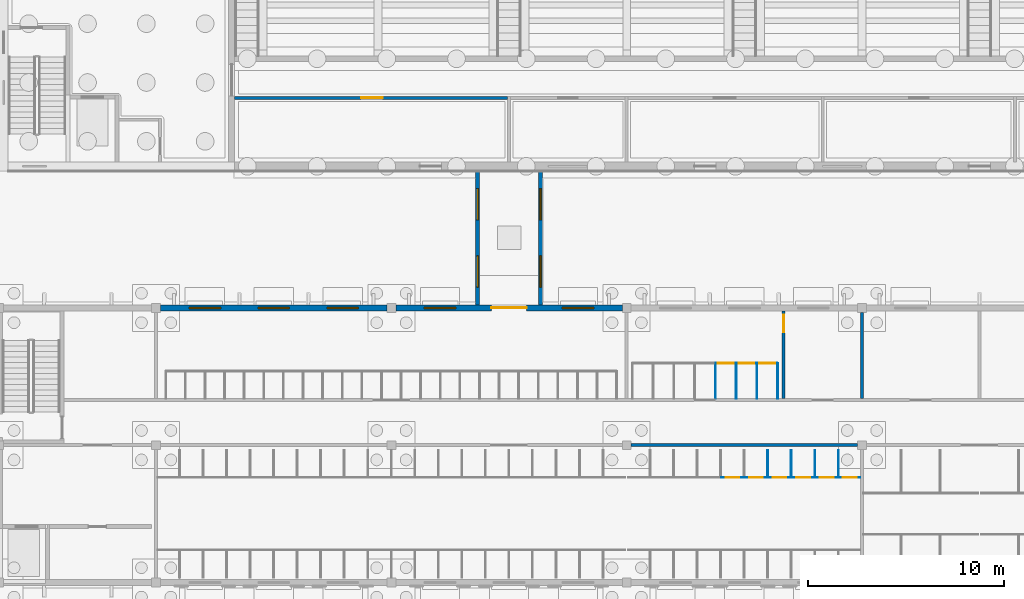
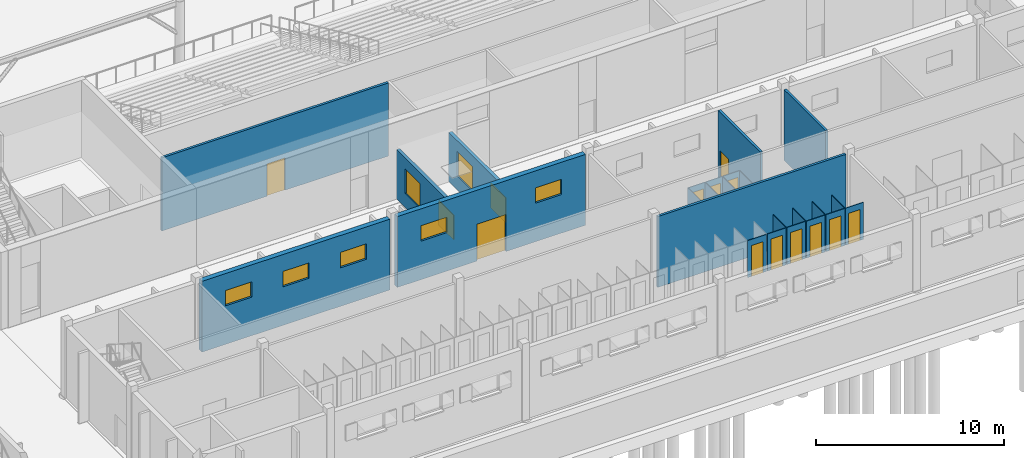
# One storey, part 83 of 157: 25 walls, 12 doors, 9 windows, 21 openings.
"""IFC4 building model written with IfcOpenShell, lengths in metres."""

from ifc_helpers import new_model, si_unit, direction, frame, frame_2d, origin, place, context, subcontext, project, spatial, rectangle, extrude, material, layer, layer_set, type_object, element, fill, save


model = new_model("IFC4")

# Units and contexts
model_context = context("Model", 3, precision=1e-05, world=origin(), true_north=direction((0.0, 1.0)))
body_context = subcontext(model_context, "Body", "Model", "MODEL_VIEW")
ifc_project = project(units=[si_unit("LENGTHUNIT", "METRE"), si_unit("AREAUNIT", "SQUARE_METRE"), si_unit("VOLUMEUNIT", "CUBIC_METRE"), si_unit("PLANEANGLEUNIT", "RADIAN"), si_unit("MASSUNIT", "GRAM", prefix="KILO")], contexts=[model_context])

# Site, building, storey
site_placement = place(None, origin())
site = spatial("IfcSite", under=ifc_project, at=site_placement, CompositionType="ELEMENT")
building_placement = place(site_placement, origin())
building = spatial("IfcBuilding", under=site, at=building_placement, Name="Windward Yard Aquatics Centre", CompositionType="ELEMENT")
storey_placement = place(building_placement, origin())
storey = spatial("IfcBuildingStorey", under=building, at=storey_placement, Name="L00", CompositionType="ELEMENT", Elevation=0.0)

# Wall
ifc_material_1 = material(Name="Concrete masonry unit plastered", Category="masonry")
ifc_layer_1 = layer(ifc_material_1, 0.14990234375)
ifc_layer_set_1 = layer_set([ifc_layer_1], Name="C block partition 150")
wall_type_1 = type_object("IfcWallType", Name="C block partition 150", PredefinedType="PARTITIONING", material=ifc_layer_set_1)
wall_1_placement = place(storey_placement, frame((84.22509765625, 12.0, 0.0), z_axis=(0.0, 0.0, 1.0), x_axis=(1.0, 0.0, 0.0)))
element("IfcWall", 1, at=wall_1_placement, inside=storey, type_object=wall_type_1, Name="C.W.L00.SP.S.4", PredefinedType="PARTITIONING", context=body_context, shape_type="SweptSolid", body=[
    extrude(rectangle(XDim=11.5498046875, YDim=0.14990234375, at=frame_2d((5.77490234375, 0.0))), origin(), (0.0, 0.0, 1.0), 4.60009765625),
])

# Wall, opening, door
wall_2_placement = place(storey_placement, frame((92.0, 14.375, 0.0), z_axis=(0.0, 0.0, 1.0), x_axis=(0.0, 1.0, 0.0)))
wall_2 = element("IfcWall", 2, at=wall_2_placement, inside=storey, type_object=wall_type_1, Name="C.W.L00.ND.40.1", PredefinedType="PARTITIONING", context=body_context, shape_type="SweptSolid", body=[
    extrude(rectangle(XDim=4.47509765625, YDim=0.14990234375, at=frame_2d((2.237548828125, 0.0))), origin(), (0.0, 0.0, 1.0), 4.60009765625),
])
opening_1_placement = place(wall_2_placement, frame((3.375, 0.0, 0.0)))
opening_1 = element("IfcOpeningElement", 3, at=opening_1_placement, cuts=wall_2, Name="Opening C0023", PredefinedType="OPENING", context=body_context, shape_type="SweptSolid", body=[
    extrude(rectangle(XDim=0.89990234375, YDim=2.10009765625, at=frame_2d((0.449951171875, 1.050048828125))), frame((0.0, 0.0849609375, 0.0), z_axis=(0.0, -1.0, 0.0), x_axis=(1.0, 0.0, 0.0)), (0.0, 0.0, 1.0), 0.169921875),
])
ifc_material_2 = material(Name="Timber door leaf in steel frame", Category="steel")
door_type_1 = type_object("IfcDoorType", Name="C door 900X2100 FD30S", OperationType="SINGLE_SWING_LEFT", PredefinedType="DOOR", material=ifc_material_2)
door_1_placement = place(opening_1_placement, origin())
door_1 = element("IfcDoor", 4, at=door_1_placement, inside=storey, type_object=door_type_1, Name="Cleaner's store door", OperationType="SINGLE_SWING_LEFT", OverallHeight=2.10009765625, OverallWidth=0.89990234375, PredefinedType="DOOR", context=body_context, shape_type="SweptSolid", body=[
    extrude(rectangle(XDim=0.89990234375, YDim=2.10009765625, at=frame_2d((0.449951171875, 1.050048828125))), frame((0.0, 0.02490234375, 0.0), z_axis=(0.0, -1.0, 0.0), x_axis=(1.0, 0.0, 0.0)), (0.0, 0.0, 1.0), 0.050048828125),
])
fill(opening_1, door_1)

# Walls
wall_3_placement = place(storey_placement, frame((96.0, 14.375, 0.0), z_axis=(0.0, 0.0, 1.0), x_axis=(0.0, 1.0, 0.0)))
element("IfcWall", 5, at=wall_3_placement, inside=storey, type_object=wall_type_1, Name="C.W.L00.ND.44.1", PredefinedType="PARTITIONING", context=body_context, shape_type="SweptSolid", body=[
    extrude(rectangle(XDim=4.39990234375, YDim=0.14990234375, at=frame_2d((2.199951171875, 0.0))), origin(), (0.0, 0.0, 1.0), 4.60009765625),
])
ifc_material_3 = material(Name="High-pressure laminate panel on stainless frame")
ifc_layer_2 = layer(ifc_material_3, 0.0400390625)
ifc_layer_set_2 = layer_set([ifc_layer_2], Name="C cubicle panel 40")
wall_type_2 = type_object("IfcWallType", Name="C cubicle panel 40", PredefinedType="PARTITIONING", material=ifc_layer_set_2)
for number, where, z_axis, x_axis, name in (
    (6, (91.199951171875, 11.75, 0.0), (0.0, 0.0, 1.0), (0.0, -1.0, 0.0), "C.W.L00.B.P26"),
    (7, (92.39990234375, 11.75, 0.0), (0.0, 0.0, 1.0), (0.0, -1.0, 0.0), "C.W.L00.B.P27"),
    (8, (93.60009765625, 11.75, 0.0), (0.0, 0.0, 1.0), (0.0, -1.0, 0.0), "C.W.L00.B.P28"),
    (9, (94.800048828125, 11.75, 0.0), (0.0, 0.0, 1.0), (0.0, -1.0, 0.0), "C.W.L00.B.P29"),
):
    element("IfcWall", number, at=place(storey_placement, frame(where, z_axis=z_axis, x_axis=x_axis)), inside=storey, type_object=wall_type_2, Name=name, PredefinedType="PARTITIONING", context=body_context, shape_type="SweptSolid", body=[
        extrude(rectangle(XDim=1.39990234375, YDim=0.0400390625, at=frame_2d((0.699951171875, 0.0))), origin(), (0.0, 0.0, 1.0), 2.39990234375),
    ])

# Wall, opening, door
wall_4_placement = place(storey_placement, frame((88.820068359375, 10.35009765625, 0.0), z_axis=(0.0, 0.0, 1.0), x_axis=(1.0, 0.0, 0.0)))
wall_4 = element("IfcWall", 10, at=wall_4_placement, inside=storey, type_object=wall_type_2, Name="C.W.L00.B.F24", PredefinedType="PARTITIONING", context=body_context, shape_type="SweptSolid", body=[
    extrude(rectangle(XDim=1.159912109375, YDim=0.0400390625, at=frame_2d((0.580078125, 0.0))), origin(), (0.0, 0.0, 1.0), 2.39990234375),
])
opening_2_placement = place(wall_4_placement, frame((0.22998046875, 0.0, 0.0)))
opening_2 = element("IfcOpeningElement", 11, at=opening_2_placement, cuts=wall_4, Name="Opening C0082", PredefinedType="OPENING", context=body_context, shape_type="SweptSolid", body=[
    extrude(rectangle(XDim=0.699951171875, YDim=2.0, at=frame_2d((0.35009765625, 1.0))), frame((0.0, 0.030029296875, 0.0), z_axis=(0.0, -1.0, 0.0), x_axis=(1.0, 0.0, 0.0)), (0.0, 0.0, 1.0), 0.06005859375),
])
ifc_material_4 = material(Name="High-pressure laminate door leaf")
door_type_2 = type_object("IfcDoorType", Name="C door 700X2000 NOT RATED", OperationType="SINGLE_SWING_LEFT", PredefinedType="DOOR", material=ifc_material_4)
door_2_placement = place(opening_2_placement, origin())
door_2 = element("IfcDoor", 12, at=door_2_placement, inside=storey, type_object=door_type_2, Name="Cubicle door B25", OperationType="SINGLE_SWING_LEFT", OverallHeight=2.0, OverallWidth=0.699951171875, PredefinedType="DOOR", context=body_context, shape_type="SweptSolid", body=[
    extrude(rectangle(XDim=0.699951171875, YDim=2.0, at=frame_2d((0.35009765625, 1.0))), frame((0.0, 0.019775390625, 0.0), z_axis=(0.0, -1.0, 0.0), x_axis=(1.0, 0.0, 0.0)), (0.0, 0.0, 1.0), 0.03955078125),
])
fill(opening_2, door_2)

wall_5_placement = place(storey_placement, frame((90.02001953125, 10.35009765625, 0.0), z_axis=(0.0, 0.0, 1.0), x_axis=(1.0, 0.0, 0.0)))
wall_5 = element("IfcWall", 13, at=wall_5_placement, inside=storey, type_object=wall_type_2, Name="C.W.L00.B.F25", PredefinedType="PARTITIONING", context=body_context, shape_type="SweptSolid", body=[
    extrude(rectangle(XDim=1.159912109375, YDim=0.0400390625, at=frame_2d((0.580078125, 0.0))), origin(), (0.0, 0.0, 1.0), 2.39990234375),
])
opening_3_placement = place(wall_5_placement, frame((0.22998046875, 0.0, 0.0)))
opening_3 = element("IfcOpeningElement", 14, at=opening_3_placement, cuts=wall_5, Name="Opening C0083", PredefinedType="OPENING", context=body_context, shape_type="SweptSolid", body=[
    extrude(rectangle(XDim=0.699951171875, YDim=2.0, at=frame_2d((0.35009765625, 1.0))), frame((0.0, 0.030029296875, 0.0), z_axis=(0.0, -1.0, 0.0), x_axis=(1.0, 0.0, 0.0)), (0.0, 0.0, 1.0), 0.06005859375),
])
door_3_placement = place(opening_3_placement, origin())
door_3 = element("IfcDoor", 15, at=door_3_placement, inside=storey, type_object=door_type_2, Name="Cubicle door B26", OperationType="SINGLE_SWING_LEFT", OverallHeight=2.0, OverallWidth=0.699951171875, PredefinedType="DOOR", context=body_context, shape_type="SweptSolid", body=[
    extrude(rectangle(XDim=0.699951171875, YDim=2.0, at=frame_2d((0.35009765625, 1.0))), frame((0.0, 0.019775390625, 0.0), z_axis=(0.0, -1.0, 0.0), x_axis=(1.0, 0.0, 0.0)), (0.0, 0.0, 1.0), 0.03955078125),
])
fill(opening_3, door_3)

wall_6_placement = place(storey_placement, frame((91.219970703125, 10.35009765625, 0.0), z_axis=(0.0, 0.0, 1.0), x_axis=(1.0, 0.0, 0.0)))
wall_6 = element("IfcWall", 16, at=wall_6_placement, inside=storey, type_object=wall_type_2, Name="C.W.L00.B.F26", PredefinedType="PARTITIONING", context=body_context, shape_type="SweptSolid", body=[
    extrude(rectangle(XDim=1.159912109375, YDim=0.0400390625, at=frame_2d((0.580078125, 0.0))), origin(), (0.0, 0.0, 1.0), 2.39990234375),
])
opening_4_placement = place(wall_6_placement, frame((0.22998046875, 0.0, 0.0)))
opening_4 = element("IfcOpeningElement", 17, at=opening_4_placement, cuts=wall_6, Name="Opening C0084", PredefinedType="OPENING", context=body_context, shape_type="SweptSolid", body=[
    extrude(rectangle(XDim=0.699951171875, YDim=2.0, at=frame_2d((0.35009765625, 1.0))), frame((0.0, 0.030029296875, 0.0), z_axis=(0.0, -1.0, 0.0), x_axis=(1.0, 0.0, 0.0)), (0.0, 0.0, 1.0), 0.06005859375),
])
door_4_placement = place(opening_4_placement, origin())
door_4 = element("IfcDoor", 18, at=door_4_placement, inside=storey, type_object=door_type_2, Name="Cubicle door B27", OperationType="SINGLE_SWING_LEFT", OverallHeight=2.0, OverallWidth=0.699951171875, PredefinedType="DOOR", context=body_context, shape_type="SweptSolid", body=[
    extrude(rectangle(XDim=0.699951171875, YDim=2.0, at=frame_2d((0.35009765625, 1.0))), frame((0.0, 0.019775390625, 0.0), z_axis=(0.0, -1.0, 0.0), x_axis=(1.0, 0.0, 0.0)), (0.0, 0.0, 1.0), 0.03955078125),
])
fill(opening_4, door_4)

wall_7_placement = place(storey_placement, frame((92.419921875, 10.35009765625, 0.0), z_axis=(0.0, 0.0, 1.0), x_axis=(1.0, 0.0, 0.0)))
wall_7 = element("IfcWall", 19, at=wall_7_placement, inside=storey, type_object=wall_type_2, Name="C.W.L00.B.F27", PredefinedType="PARTITIONING", context=body_context, shape_type="SweptSolid", body=[
    extrude(rectangle(XDim=1.16015625, YDim=0.0400390625, at=frame_2d((0.580078125, 0.0))), origin(), (0.0, 0.0, 1.0), 2.39990234375),
])
opening_5_placement = place(wall_7_placement, frame((0.22998046875, 0.0, 0.0)))
opening_5 = element("IfcOpeningElement", 20, at=opening_5_placement, cuts=wall_7, Name="Opening C0085", PredefinedType="OPENING", context=body_context, shape_type="SweptSolid", body=[
    extrude(rectangle(XDim=0.699951171875, YDim=2.0, at=frame_2d((0.35009765625, 1.0))), frame((0.0, 0.030029296875, 0.0), z_axis=(0.0, -1.0, 0.0), x_axis=(1.0, 0.0, 0.0)), (0.0, 0.0, 1.0), 0.06005859375),
])
door_5_placement = place(opening_5_placement, origin())
door_5 = element("IfcDoor", 21, at=door_5_placement, inside=storey, type_object=door_type_2, Name="Cubicle door B28", OperationType="SINGLE_SWING_LEFT", OverallHeight=2.0, OverallWidth=0.699951171875, PredefinedType="DOOR", context=body_context, shape_type="SweptSolid", body=[
    extrude(rectangle(XDim=0.699951171875, YDim=2.0, at=frame_2d((0.35009765625, 1.0))), frame((0.0, 0.019775390625, 0.0), z_axis=(0.0, -1.0, 0.0), x_axis=(1.0, 0.0, 0.0)), (0.0, 0.0, 1.0), 0.03955078125),
])
fill(opening_5, door_5)

wall_8_placement = place(storey_placement, frame((93.6201171875, 10.35009765625, 0.0), z_axis=(0.0, 0.0, 1.0), x_axis=(1.0, 0.0, 0.0)))
wall_8 = element("IfcWall", 22, at=wall_8_placement, inside=storey, type_object=wall_type_2, Name="C.W.L00.B.F28", PredefinedType="PARTITIONING", context=body_context, shape_type="SweptSolid", body=[
    extrude(rectangle(XDim=1.159912109375, YDim=0.0400390625, at=frame_2d((0.580078125, 0.0))), origin(), (0.0, 0.0, 1.0), 2.39990234375),
])
opening_6_placement = place(wall_8_placement, frame((0.22998046875, 0.0, 0.0)))
opening_6 = element("IfcOpeningElement", 23, at=opening_6_placement, cuts=wall_8, Name="Opening C0086", PredefinedType="OPENING", context=body_context, shape_type="SweptSolid", body=[
    extrude(rectangle(XDim=0.699951171875, YDim=2.0, at=frame_2d((0.35009765625, 1.0))), frame((0.0, 0.030029296875, 0.0), z_axis=(0.0, -1.0, 0.0), x_axis=(1.0, 0.0, 0.0)), (0.0, 0.0, 1.0), 0.06005859375),
])
door_6_placement = place(opening_6_placement, origin())
door_6 = element("IfcDoor", 24, at=door_6_placement, inside=storey, type_object=door_type_2, Name="Cubicle door B29", OperationType="SINGLE_SWING_LEFT", OverallHeight=2.0, OverallWidth=0.699951171875, PredefinedType="DOOR", context=body_context, shape_type="SweptSolid", body=[
    extrude(rectangle(XDim=0.699951171875, YDim=2.0, at=frame_2d((0.35009765625, 1.0))), frame((0.0, 0.019775390625, 0.0), z_axis=(0.0, -1.0, 0.0), x_axis=(1.0, 0.0, 0.0)), (0.0, 0.0, 1.0), 0.03955078125),
])
fill(opening_6, door_6)

wall_9_placement = place(storey_placement, frame((94.820068359375, 10.35009765625, 0.0), z_axis=(0.0, 0.0, 1.0), x_axis=(1.0, 0.0, 0.0)))
wall_9 = element("IfcWall", 25, at=wall_9_placement, inside=storey, type_object=wall_type_2, Name="C.W.L00.B.F29", PredefinedType="PARTITIONING", context=body_context, shape_type="SweptSolid", body=[
    extrude(rectangle(XDim=1.10498046875, YDim=0.0400390625, at=frame_2d((0.552490234375, 0.0))), origin(), (0.0, 0.0, 1.0), 2.39990234375),
])
opening_7_placement = place(wall_9_placement, frame((0.202392578125, 0.0, 0.0)))
opening_7 = element("IfcOpeningElement", 26, at=opening_7_placement, cuts=wall_9, Name="Opening C0087", PredefinedType="OPENING", context=body_context, shape_type="SweptSolid", body=[
    extrude(rectangle(XDim=0.699951171875, YDim=2.0, at=frame_2d((0.35009765625, 1.0))), frame((0.0, 0.030029296875, 0.0), z_axis=(0.0, -1.0, 0.0), x_axis=(1.0, 0.0, 0.0)), (0.0, 0.0, 1.0), 0.06005859375),
])
door_7_placement = place(opening_7_placement, origin())
door_7 = element("IfcDoor", 27, at=door_7_placement, inside=storey, type_object=door_type_2, Name="Cubicle door B30", OperationType="SINGLE_SWING_LEFT", OverallHeight=2.0, OverallWidth=0.699951171875, PredefinedType="DOOR", context=body_context, shape_type="SweptSolid", body=[
    extrude(rectangle(XDim=0.699951171875, YDim=2.0, at=frame_2d((0.35009765625, 1.0))), frame((0.0, 0.019775390625, 0.0), z_axis=(0.0, -1.0, 0.0), x_axis=(1.0, 0.0, 0.0)), (0.0, 0.0, 1.0), 0.03955078125),
])
fill(opening_7, door_7)

# Walls
for number, where, z_axis, x_axis, name in (
    (28, (88.528564453125, 14.375, 0.0), (0.0, 0.0, 1.0), (0.0, 1.0, 0.0), "C.W.L00.F.P4"),
    (29, (89.585693359375, 14.375, 0.0), (0.0, 0.0, 1.0), (0.0, 1.0, 0.0), "C.W.L00.F.P5"),
    (30, (90.642822265625, 14.375, 0.0), (0.0, 0.0, 1.0), (0.0, 1.0, 0.0), "C.W.L00.F.P6"),
    (31, (91.699951171875, 14.375, 0.0), (0.0, 0.0, 1.0), (0.0, 1.0, 0.0), "C.W.L00.F.P7"),
):
    element("IfcWall", number, at=place(storey_placement, frame(where, z_axis=z_axis, x_axis=x_axis)), inside=storey, type_object=wall_type_2, Name=name, PredefinedType="PARTITIONING", context=body_context, shape_type="SweptSolid", body=[
        extrude(rectangle(XDim=1.800048828125, YDim=0.0400390625, at=frame_2d((0.89990234375, 0.0))), origin(), (0.0, 0.0, 1.0), 2.39990234375),
    ])

# Wall, opening, door
wall_10_placement = place(storey_placement, frame((88.548583984375, 16.175048828125, 0.0), z_axis=(0.0, 0.0, 1.0), x_axis=(1.0, 0.0, 0.0)))
wall_10 = element("IfcWall", 32, at=wall_10_placement, inside=storey, type_object=wall_type_2, Name="C.W.L00.F.F4", PredefinedType="PARTITIONING", context=body_context, shape_type="SweptSolid", body=[
    extrude(rectangle(XDim=1.01708984375, YDim=0.0400390625, at=frame_2d((0.508544921875, 0.0))), origin(), (0.0, 0.0, 1.0), 2.39990234375),
])
opening_8_placement = place(wall_10_placement, frame((0.108642578125, 0.0, 0.0)))
opening_8 = element("IfcOpeningElement", 33, at=opening_8_placement, cuts=wall_10, Name="Opening C0127", PredefinedType="OPENING", context=body_context, shape_type="SweptSolid", body=[
    extrude(rectangle(XDim=0.800048828125, YDim=2.0, at=frame_2d((0.39990234375, 1.0))), frame((0.0, 0.030029296875, 0.0), z_axis=(0.0, -1.0, 0.0), x_axis=(1.0, 0.0, 0.0)), (0.0, 0.0, 1.0), 0.06005859375),
])
door_type_3 = type_object("IfcDoorType", Name="C door 800X2000 NOT RATED", OperationType="SINGLE_SWING_LEFT", PredefinedType="DOOR", material=ifc_material_4)
door_8_placement = place(opening_8_placement, origin())
door_8 = element("IfcDoor", 34, at=door_8_placement, inside=storey, type_object=door_type_3, Name="Cubicle door F5", OperationType="SINGLE_SWING_LEFT", OverallHeight=2.0, OverallWidth=0.800048828125, PredefinedType="DOOR", context=body_context, shape_type="SweptSolid", body=[
    extrude(rectangle(XDim=0.800048828125, YDim=2.0, at=frame_2d((0.39990234375, 1.0))), frame((0.0, 0.019775390625, 0.0), z_axis=(0.0, -1.0, 0.0), x_axis=(1.0, 0.0, 0.0)), (0.0, 0.0, 1.0), 0.03955078125),
])
fill(opening_8, door_8)

wall_11_placement = place(storey_placement, frame((89.605712890625, 16.175048828125, 0.0), z_axis=(0.0, 0.0, 1.0), x_axis=(1.0, 0.0, 0.0)))
wall_11 = element("IfcWall", 35, at=wall_11_placement, inside=storey, type_object=wall_type_2, Name="C.W.L00.F.F5", PredefinedType="PARTITIONING", context=body_context, shape_type="SweptSolid", body=[
    extrude(rectangle(XDim=1.01708984375, YDim=0.0400390625, at=frame_2d((0.508544921875, 0.0))), origin(), (0.0, 0.0, 1.0), 2.39990234375),
])
opening_9_placement = place(wall_11_placement, frame((0.108642578125, 0.0, 0.0)))
opening_9 = element("IfcOpeningElement", 36, at=opening_9_placement, cuts=wall_11, Name="Opening C0128", PredefinedType="OPENING", context=body_context, shape_type="SweptSolid", body=[
    extrude(rectangle(XDim=0.800048828125, YDim=2.0, at=frame_2d((0.39990234375, 1.0))), frame((0.0, 0.030029296875, 0.0), z_axis=(0.0, -1.0, 0.0), x_axis=(1.0, 0.0, 0.0)), (0.0, 0.0, 1.0), 0.06005859375),
])
door_9_placement = place(opening_9_placement, origin())
door_9 = element("IfcDoor", 37, at=door_9_placement, inside=storey, type_object=door_type_3, Name="Cubicle door F6", OperationType="SINGLE_SWING_LEFT", OverallHeight=2.0, OverallWidth=0.800048828125, PredefinedType="DOOR", context=body_context, shape_type="SweptSolid", body=[
    extrude(rectangle(XDim=0.800048828125, YDim=2.0, at=frame_2d((0.39990234375, 1.0))), frame((0.0, 0.019775390625, 0.0), z_axis=(0.0, -1.0, 0.0), x_axis=(1.0, 0.0, 0.0)), (0.0, 0.0, 1.0), 0.03955078125),
])
fill(opening_9, door_9)

wall_12_placement = place(storey_placement, frame((90.662841796875, 16.175048828125, 0.0), z_axis=(0.0, 0.0, 1.0), x_axis=(1.0, 0.0, 0.0)))
wall_12 = element("IfcWall", 38, at=wall_12_placement, inside=storey, type_object=wall_type_2, Name="C.W.L00.F.F6", PredefinedType="PARTITIONING", context=body_context, shape_type="SweptSolid", body=[
    extrude(rectangle(XDim=1.01708984375, YDim=0.0400390625, at=frame_2d((0.508544921875, 0.0))), origin(), (0.0, 0.0, 1.0), 2.39990234375),
])
opening_10_placement = place(wall_12_placement, frame((0.108642578125, 0.0, 0.0)))
opening_10 = element("IfcOpeningElement", 39, at=opening_10_placement, cuts=wall_12, Name="Opening C0129", PredefinedType="OPENING", context=body_context, shape_type="SweptSolid", body=[
    extrude(rectangle(XDim=0.800048828125, YDim=2.0, at=frame_2d((0.39990234375, 1.0))), frame((0.0, 0.030029296875, 0.0), z_axis=(0.0, -1.0, 0.0), x_axis=(1.0, 0.0, 0.0)), (0.0, 0.0, 1.0), 0.06005859375),
])
door_10_placement = place(opening_10_placement, origin())
door_10 = element("IfcDoor", 40, at=door_10_placement, inside=storey, type_object=door_type_3, Name="Cubicle door F7", OperationType="SINGLE_SWING_LEFT", OverallHeight=2.0, OverallWidth=0.800048828125, PredefinedType="DOOR", context=body_context, shape_type="SweptSolid", body=[
    extrude(rectangle(XDim=0.800048828125, YDim=2.0, at=frame_2d((0.39990234375, 1.0))), frame((0.0, 0.019775390625, 0.0), z_axis=(0.0, -1.0, 0.0), x_axis=(1.0, 0.0, 0.0)), (0.0, 0.0, 1.0), 0.03955078125),
])
fill(opening_10, door_10)

# Wall, openings, windows
ifc_material_5 = material(Name="Concrete C35/45", Category="concrete")
ifc_layer_3 = layer(ifc_material_5, 0.199951171875)
ifc_layer_set_3 = layer_set([ifc_layer_3], Name="C link side wall 200")
wall_type_3 = type_object("IfcWallType", Name="C link side wall 200", PredefinedType="ELEMENTEDWALL", material=ifc_layer_set_3)
wall_13_placement = place(storey_placement, frame((76.39990234375, 19.14990234375, 0.0), z_axis=(0.0, 0.0, 1.0), x_axis=(0.0, 1.0, 0.0)))
wall_13 = element("IfcWall", 41, at=wall_13_placement, inside=storey, type_object=wall_type_3, Name="C.W.X.V4V1.1.N", PredefinedType="ELEMENTEDWALL", context=body_context, shape_type="SweptSolid", body=[
    extrude(rectangle(XDim=6.85009765625, YDim=0.199951171875, at=frame_2d((3.425048828125, 0.0))), origin(), (0.0, 0.0, 1.0), 3.199951171875),
])
opening_11_placement = place(wall_13_placement, frame((0.91259765625, 0.0, 0.89990234375)))
opening_11 = element("IfcOpeningElement", 42, at=opening_11_placement, cuts=wall_13, Name="Opening CW0038", PredefinedType="OPENING", context=body_context, shape_type="SweptSolid", body=[
    extrude(rectangle(XDim=1.60009765625, YDim=1.60009765625, at=frame_2d((0.800048828125, 0.800048828125))), frame((0.0, 0.10986328125, 0.0), z_axis=(0.0, -1.0, 0.0), x_axis=(1.0, 0.0, 0.0)), (0.0, 0.0, 1.0), 0.219970703125),
])
opening_12_placement = place(wall_13_placement, frame((4.33740234375, 0.0, 0.89990234375)))
opening_12 = element("IfcOpeningElement", 43, at=opening_12_placement, cuts=wall_13, Name="Opening CW0039", PredefinedType="OPENING", context=body_context, shape_type="SweptSolid", body=[
    extrude(rectangle(XDim=1.60009765625, YDim=1.60009765625, at=frame_2d((0.800048828125, 0.800048828125))), frame((0.0, 0.10986328125, 0.0), z_axis=(0.0, -1.0, 0.0), x_axis=(1.0, 0.0, 0.0)), (0.0, 0.0, 1.0), 0.219970703125),
])
ifc_material_6 = material(Name="Aluminium framed double glazing", Category="aluminium")
window_type_1 = type_object("IfcWindowType", Name="C window 1600X1600", PartitioningType="SINGLE_PANEL", PredefinedType="WINDOW", material=ifc_material_6)
window_1_placement = place(opening_11_placement, origin())
window_1 = element("IfcWindow", 44, at=window_1_placement, inside=storey, type_object=window_type_1, Name="Window CW0038", OverallHeight=1.60009765625, OverallWidth=1.60009765625, PartitioningType="SINGLE_PANEL", PredefinedType="WINDOW", context=body_context, shape_type="SweptSolid", body=[
    extrude(rectangle(XDim=1.60009765625, YDim=1.60009765625, at=frame_2d((0.800048828125, 0.800048828125))), frame((0.0, 0.030029296875, 0.0), z_axis=(0.0, -1.0, 0.0), x_axis=(1.0, 0.0, 0.0)), (0.0, 0.0, 1.0), 0.06005859375),
])
fill(opening_11, window_1)
window_2_placement = place(opening_12_placement, origin())
window_2 = element("IfcWindow", 45, at=window_2_placement, inside=storey, type_object=window_type_1, Name="Window CW0039", OverallHeight=1.60009765625, OverallWidth=1.60009765625, PartitioningType="SINGLE_PANEL", PredefinedType="WINDOW", context=body_context, shape_type="SweptSolid", body=[
    extrude(rectangle(XDim=1.60009765625, YDim=1.60009765625, at=frame_2d((0.800048828125, 0.800048828125))), frame((0.0, 0.030029296875, 0.0), z_axis=(0.0, -1.0, 0.0), x_axis=(1.0, 0.0, 0.0)), (0.0, 0.0, 1.0), 0.06005859375),
])
fill(opening_12, window_2)

wall_14_placement = place(storey_placement, frame((79.60009765625, 19.14990234375, 0.0), z_axis=(0.0, 0.0, 1.0), x_axis=(0.0, 1.0, 0.0)))
wall_14 = element("IfcWall", 46, at=wall_14_placement, inside=storey, type_object=wall_type_3, Name="C.W.X.V4V1.1.S", PredefinedType="ELEMENTEDWALL", context=body_context, shape_type="SweptSolid", body=[
    extrude(rectangle(XDim=6.85009765625, YDim=0.199951171875, at=frame_2d((3.425048828125, 0.0))), origin(), (0.0, 0.0, 1.0), 3.199951171875),
])
opening_13_placement = place(wall_14_placement, frame((0.91259765625, 0.0, 0.89990234375)))
opening_13 = element("IfcOpeningElement", 47, at=opening_13_placement, cuts=wall_14, Name="Opening CW0040", PredefinedType="OPENING", context=body_context, shape_type="SweptSolid", body=[
    extrude(rectangle(XDim=1.60009765625, YDim=1.60009765625, at=frame_2d((0.800048828125, 0.800048828125))), frame((0.0, 0.10986328125, 0.0), z_axis=(0.0, -1.0, 0.0), x_axis=(1.0, 0.0, 0.0)), (0.0, 0.0, 1.0), 0.219970703125),
])
opening_14_placement = place(wall_14_placement, frame((4.33740234375, 0.0, 0.89990234375)))
opening_14 = element("IfcOpeningElement", 48, at=opening_14_placement, cuts=wall_14, Name="Opening CW0041", PredefinedType="OPENING", context=body_context, shape_type="SweptSolid", body=[
    extrude(rectangle(XDim=1.60009765625, YDim=1.60009765625, at=frame_2d((0.800048828125, 0.800048828125))), frame((0.0, 0.10986328125, 0.0), z_axis=(0.0, -1.0, 0.0), x_axis=(1.0, 0.0, 0.0)), (0.0, 0.0, 1.0), 0.219970703125),
])
window_3_placement = place(opening_13_placement, origin())
window_3 = element("IfcWindow", 49, at=window_3_placement, inside=storey, type_object=window_type_1, Name="Window CW0040", OverallHeight=1.60009765625, OverallWidth=1.60009765625, PartitioningType="SINGLE_PANEL", PredefinedType="WINDOW", context=body_context, shape_type="SweptSolid", body=[
    extrude(rectangle(XDim=1.60009765625, YDim=1.60009765625, at=frame_2d((0.800048828125, 0.800048828125))), frame((0.0, 0.030029296875, 0.0), z_axis=(0.0, -1.0, 0.0), x_axis=(1.0, 0.0, 0.0)), (0.0, 0.0, 1.0), 0.06005859375),
])
fill(opening_13, window_3)
window_4_placement = place(opening_14_placement, origin())
window_4 = element("IfcWindow", 50, at=window_4_placement, inside=storey, type_object=window_type_1, Name="Window CW0041", OverallHeight=1.60009765625, OverallWidth=1.60009765625, PartitioningType="SINGLE_PANEL", PredefinedType="WINDOW", context=body_context, shape_type="SweptSolid", body=[
    extrude(rectangle(XDim=1.60009765625, YDim=1.60009765625, at=frame_2d((0.800048828125, 0.800048828125))), frame((0.0, 0.030029296875, 0.0), z_axis=(0.0, -1.0, 0.0), x_axis=(1.0, 0.0, 0.0)), (0.0, 0.0, 1.0), 0.06005859375),
])
fill(opening_14, window_4)

ifc_material_7 = material(Name="Natural stone cladding", Category="masonry")
ifc_layer_4 = layer(ifc_material_7, 0.04, Name="Cladding")
ifc_material_8 = material(Name="Ventilated air cavity")
ifc_layer_5 = layer(ifc_material_8, 0.04, ventilated=True, Name="Ventilated cavity")
ifc_material_9 = material(Name="Mineral wool insulation")
ifc_layer_6 = layer(ifc_material_9, 0.06, Name="Insulation")
ifc_layer_7 = layer(ifc_material_5, 0.16, Name="Structure")
ifc_layer_set_4 = layer_set([ifc_layer_4, ifc_layer_5, ifc_layer_6, ifc_layer_7], Name="C stone-faced external wall 300")
wall_type_4 = type_object("IfcWallType", Name="C stone-faced external wall 300", PredefinedType="ELEMENTEDWALL", material=ifc_layer_set_4)
wall_15_placement = place(storey_placement, frame((60.22509765625, 19.0, 0.0), z_axis=(0.0, 0.0, 1.0), x_axis=(1.0, 0.0, 0.0)))
wall_15 = element("IfcWall", 51, at=wall_15_placement, inside=storey, type_object=wall_type_4, Name="C.W.L00.N2", PredefinedType="ELEMENTEDWALL", context=body_context, shape_type="SweptSolid", body=[
    extrude(rectangle(XDim=11.5498046875, YDim=0.300048828125, at=frame_2d((5.77490234375, 0.0))), origin(), (0.0, 0.0, 1.0), 4.60009765625),
])
opening_15_placement = place(wall_15_placement, frame((1.458251953125, 0.0, 2.5)))
opening_15 = element("IfcOpeningElement", 52, at=opening_15_placement, cuts=wall_15, Name="Opening CW0021", PredefinedType="OPENING", context=body_context, shape_type="SweptSolid", body=[
    extrude(rectangle(XDim=1.60009765625, YDim=1.0, at=frame_2d((0.800048828125, 0.5))), frame((0.0, 0.16015625, 0.0), z_axis=(0.0, -1.0, 0.0), x_axis=(1.0, 0.0, 0.0)), (0.0, 0.0, 1.0), 0.320068359375),
])
opening_16_placement = place(wall_15_placement, frame((4.97509765625, 0.0, 2.5)))
opening_16 = element("IfcOpeningElement", 53, at=opening_16_placement, cuts=wall_15, Name="Opening CW0022", PredefinedType="OPENING", context=body_context, shape_type="SweptSolid", body=[
    extrude(rectangle(XDim=1.60009765625, YDim=1.0, at=frame_2d((0.800048828125, 0.5))), frame((0.0, 0.16015625, 0.0), z_axis=(0.0, -1.0, 0.0), x_axis=(1.0, 0.0, 0.0)), (0.0, 0.0, 1.0), 0.320068359375),
])
opening_17_placement = place(wall_15_placement, frame((8.49169921875, 0.0, 2.5)))
opening_17 = element("IfcOpeningElement", 54, at=opening_17_placement, cuts=wall_15, Name="Opening CW0023", PredefinedType="OPENING", context=body_context, shape_type="SweptSolid", body=[
    extrude(rectangle(XDim=1.60009765625, YDim=1.0, at=frame_2d((0.800048828125, 0.5))), frame((0.0, 0.16015625, 0.0), z_axis=(0.0, -1.0, 0.0), x_axis=(1.0, 0.0, 0.0)), (0.0, 0.0, 1.0), 0.320068359375),
])
window_type_2 = type_object("IfcWindowType", Name="C window 1600X1000", PartitioningType="SINGLE_PANEL", PredefinedType="WINDOW", material=ifc_material_6)
window_5_placement = place(opening_15_placement, origin())
window_5 = element("IfcWindow", 55, at=window_5_placement, inside=storey, type_object=window_type_2, Name="Window CW0021", OverallHeight=1.0, OverallWidth=1.60009765625, PartitioningType="SINGLE_PANEL", PredefinedType="WINDOW", context=body_context, shape_type="SweptSolid", body=[
    extrude(rectangle(XDim=1.60009765625, YDim=1.0, at=frame_2d((0.800048828125, 0.5))), frame((0.0, 0.030029296875, 0.0), z_axis=(0.0, -1.0, 0.0), x_axis=(1.0, 0.0, 0.0)), (0.0, 0.0, 1.0), 0.06005859375),
])
fill(opening_15, window_5)
window_6_placement = place(opening_16_placement, origin())
window_6 = element("IfcWindow", 56, at=window_6_placement, inside=storey, type_object=window_type_2, Name="Window CW0022", OverallHeight=1.0, OverallWidth=1.60009765625, PartitioningType="SINGLE_PANEL", PredefinedType="WINDOW", context=body_context, shape_type="SweptSolid", body=[
    extrude(rectangle(XDim=1.60009765625, YDim=1.0, at=frame_2d((0.800048828125, 0.5))), frame((0.0, 0.030029296875, 0.0), z_axis=(0.0, -1.0, 0.0), x_axis=(1.0, 0.0, 0.0)), (0.0, 0.0, 1.0), 0.06005859375),
])
fill(opening_16, window_6)
window_7_placement = place(opening_17_placement, origin())
window_7 = element("IfcWindow", 57, at=window_7_placement, inside=storey, type_object=window_type_2, Name="Window CW0023", OverallHeight=1.0, OverallWidth=1.60009765625, PartitioningType="SINGLE_PANEL", PredefinedType="WINDOW", context=body_context, shape_type="SweptSolid", body=[
    extrude(rectangle(XDim=1.60009765625, YDim=1.0, at=frame_2d((0.800048828125, 0.5))), frame((0.0, 0.030029296875, 0.0), z_axis=(0.0, -1.0, 0.0), x_axis=(1.0, 0.0, 0.0)), (0.0, 0.0, 1.0), 0.06005859375),
])
fill(opening_17, window_7)

# Wall, openings, door, windows
wall_16_placement = place(storey_placement, frame((72.22509765625, 19.0, 0.0), z_axis=(0.0, 0.0, 1.0), x_axis=(1.0, 0.0, 0.0)))
wall_16 = element("IfcWall", 58, at=wall_16_placement, inside=storey, type_object=wall_type_4, Name="C.W.L00.N3", PredefinedType="ELEMENTEDWALL", context=body_context, shape_type="SweptSolid", body=[
    extrude(rectangle(XDim=11.5498046875, YDim=0.300048828125, at=frame_2d((5.77490234375, 0.0))), origin(), (0.0, 0.0, 1.0), 4.60009765625),
])
opening_18_placement = place(wall_16_placement, frame((1.458251953125, 0.0, 2.5)))
opening_18 = element("IfcOpeningElement", 59, at=opening_18_placement, cuts=wall_16, Name="Opening CW0024", PredefinedType="OPENING", context=body_context, shape_type="SweptSolid", body=[
    extrude(rectangle(XDim=1.60009765625, YDim=1.0, at=frame_2d((0.800048828125, 0.5))), frame((0.0, 0.16015625, 0.0), z_axis=(0.0, -1.0, 0.0), x_axis=(1.0, 0.0, 0.0)), (0.0, 0.0, 1.0), 0.320068359375),
])
opening_19_placement = place(wall_16_placement, frame((8.49169921875, 0.0, 2.5)))
opening_19 = element("IfcOpeningElement", 60, at=opening_19_placement, cuts=wall_16, Name="Opening CW0025", PredefinedType="OPENING", context=body_context, shape_type="SweptSolid", body=[
    extrude(rectangle(XDim=1.60009765625, YDim=1.0, at=frame_2d((0.800048828125, 0.5))), frame((0.0, 0.16015625, 0.0), z_axis=(0.0, -1.0, 0.0), x_axis=(1.0, 0.0, 0.0)), (0.0, 0.0, 1.0), 0.320068359375),
])
opening_20_placement = place(wall_16_placement, frame((4.875, 0.0, 0.0)))
opening_20 = element("IfcOpeningElement", 61, at=opening_20_placement, cuts=wall_16, Name="Opening C0003", PredefinedType="OPENING", context=body_context, shape_type="SweptSolid", body=[
    extrude(rectangle(XDim=1.800048828125, YDim=2.39990234375, at=frame_2d((0.89990234375, 1.199951171875))), frame((0.0, 0.16015625, 0.0), z_axis=(0.0, -1.0, 0.0), x_axis=(1.0, 0.0, 0.0)), (0.0, 0.0, 1.0), 0.320068359375),
])
door_type_4 = type_object("IfcDoorType", Name="C double door 1800X2400 FD30S", OperationType="DOUBLE_DOOR_SINGLE_SWING", PredefinedType="DOOR", material=ifc_material_2)
door_11_placement = place(opening_20_placement, origin())
door_11 = element("IfcDoor", 62, at=door_11_placement, inside=storey, type_object=door_type_4, Name="Link door to the pool hall", OperationType="DOUBLE_DOOR_SINGLE_SWING", OverallHeight=2.39990234375, OverallWidth=1.800048828125, PredefinedType="DOOR", context=body_context, shape_type="SweptSolid", body=[
    extrude(rectangle(XDim=1.800048828125, YDim=2.39990234375, at=frame_2d((0.89990234375, 1.199951171875))), frame((0.0, 0.02490234375, 0.0), z_axis=(0.0, -1.0, 0.0), x_axis=(1.0, 0.0, 0.0)), (0.0, 0.0, 1.0), 0.050048828125),
])
fill(opening_20, door_11)
window_8_placement = place(opening_18_placement, origin())
window_8 = element("IfcWindow", 63, at=window_8_placement, inside=storey, type_object=window_type_2, Name="Window CW0024", OverallHeight=1.0, OverallWidth=1.60009765625, PartitioningType="SINGLE_PANEL", PredefinedType="WINDOW", context=body_context, shape_type="SweptSolid", body=[
    extrude(rectangle(XDim=1.60009765625, YDim=1.0, at=frame_2d((0.800048828125, 0.5))), frame((0.0, 0.030029296875, 0.0), z_axis=(0.0, -1.0, 0.0), x_axis=(1.0, 0.0, 0.0)), (0.0, 0.0, 1.0), 0.06005859375),
])
fill(opening_18, window_8)
window_9_placement = place(opening_19_placement, origin())
window_9 = element("IfcWindow", 64, at=window_9_placement, inside=storey, type_object=window_type_2, Name="Window CW0025", OverallHeight=1.0, OverallWidth=1.60009765625, PartitioningType="SINGLE_PANEL", PredefinedType="WINDOW", context=body_context, shape_type="SweptSolid", body=[
    extrude(rectangle(XDim=1.60009765625, YDim=1.0, at=frame_2d((0.800048828125, 0.5))), frame((0.0, 0.030029296875, 0.0), z_axis=(0.0, -1.0, 0.0), x_axis=(1.0, 0.0, 0.0)), (0.0, 0.0, 1.0), 0.06005859375),
])
fill(opening_19, window_9)

# Wall, opening, door
ifc_material_10 = material(Name="Blockwork 150 mm", Category="masonry")
ifc_layer_8 = layer(ifc_material_10, 0.14990234375)
ifc_layer_set_5 = layer_set([ifc_layer_8], Name="H Partition Blockwork 150")
wall_type_5 = type_object("IfcWallType", Name="H Partition Blockwork 150", PredefinedType="PARTITIONING", material=ifc_layer_set_5)
wall_17_placement = place(storey_placement, frame((64.0, 29.719970703125, 0.0), z_axis=(0.0, 0.0, 1.0), x_axis=(1.0, 0.0, 0.0)))
wall_17 = element("IfcWall", 65, at=wall_17_placement, inside=storey, type_object=wall_type_5, Name="L00 partition Team Changing Room", PredefinedType="PARTITIONING", context=body_context, shape_type="SweptSolid", body=[
    extrude(rectangle(XDim=13.925048828125, YDim=0.14990234375, at=frame_2d((6.96240234375, 0.0))), origin(), (0.0, 0.0, 1.0), 4.75),
])
opening_21_placement = place(wall_17_placement, frame((6.449951171875, 0.0, 0.0)))
opening_21 = element("IfcOpeningElement", 66, at=opening_21_placement, cuts=wall_17, Name="Opening H0029", PredefinedType="OPENING", context=body_context, shape_type="SweptSolid", body=[
    extrude(rectangle(XDim=1.10009765625, YDim=2.10009765625, at=frame_2d((0.550048828125, 1.050048828125))), frame((0.0, 0.0849609375, 0.0), z_axis=(0.0, -1.0, 0.0), x_axis=(1.0, 0.0, 0.0)), (0.0, 0.0, 1.0), 0.169921875),
])
ifc_material_11 = material(Name="Steel and timber door leaf", Category="steel")
door_type_5 = type_object("IfcDoorType", Name="H Door Single 1100 x 2100 FD30S", OperationType="NOTDEFINED", PredefinedType="DOOR", material=ifc_material_11)
door_12_placement = place(opening_21_placement, origin())
door_12 = element("IfcDoor", 67, at=door_12_placement, inside=storey, type_object=door_type_5, Name="L00 Team Changing Room door", OperationType="SINGLE_SWING_RIGHT", OverallHeight=2.10009765625, OverallWidth=1.10009765625, PredefinedType="DOOR", context=body_context, shape_type="SweptSolid", body=[
    extrude(rectangle(XDim=1.10009765625, YDim=2.10009765625, at=frame_2d((0.550048828125, 1.050048828125))), frame((0.0, 0.02490234375, 0.0), z_axis=(0.0, -1.0, 0.0), x_axis=(1.0, 0.0, 0.0)), (0.0, 0.0, 1.0), 0.050048828125),
])
fill(opening_21, door_12)

save(model, "model.ifc")
